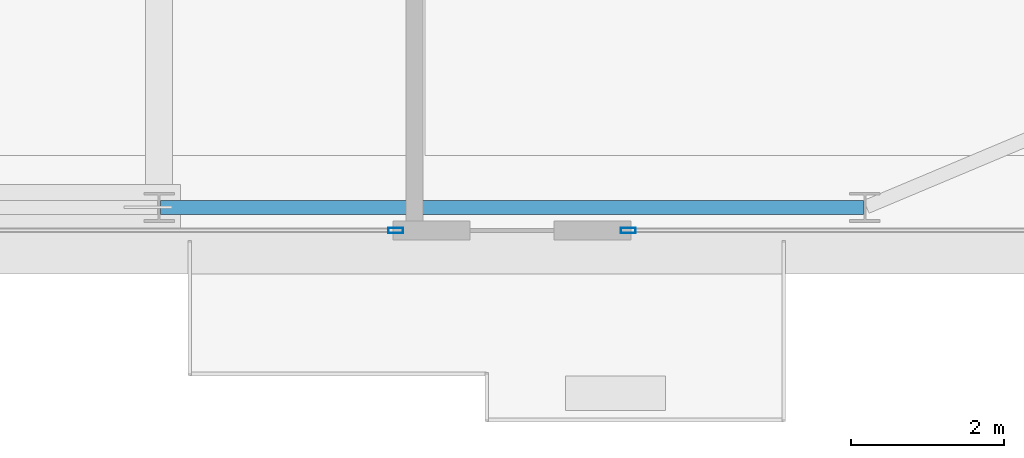
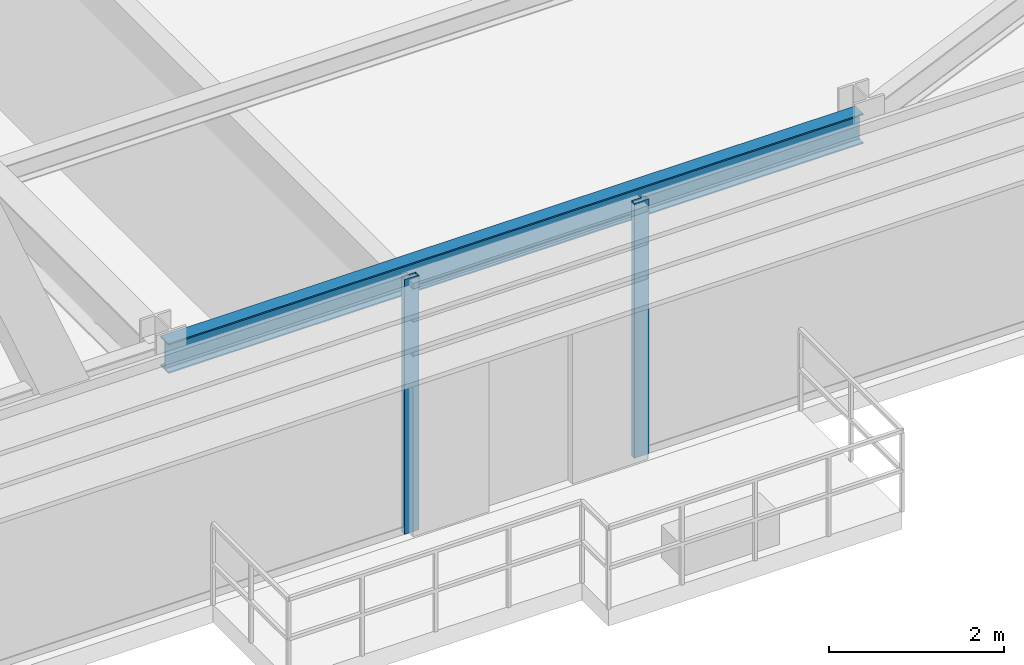
# One storey, part 14 of 38: 2 members, 1 beam, 2 elements without a shape of their own.
"""IFC4 building model written with IfcOpenShell, lengths in metres."""

from ifc_helpers import new_model, si_unit, direction, frame, origin, origin_2d, place, context, subcontext, project, spatial, hollow_rectangle, i_section, extrude, source, transform, mapped, material, layer, layer_set, material_profile, profile_set, type_object, type_shapes, element, aggregate, save


model = new_model("IFC4")

# Units and contexts
model_context = context("Model", 3, precision=1e-05, world=origin(), true_north=direction((0.0, 1.0)))
body_context = subcontext(model_context, "Body", "Model", "MODEL_VIEW")
ifc_project = project(units=[si_unit("LENGTHUNIT", "METRE"), si_unit("AREAUNIT", "SQUARE_METRE"), si_unit("VOLUMEUNIT", "CUBIC_METRE"), si_unit("PLANEANGLEUNIT", "RADIAN"), si_unit("MASSUNIT", "GRAM", prefix="KILO")], contexts=[model_context])

# Site, building, storey
site_placement = place(None, origin())
site = spatial("IfcSite", under=ifc_project, at=site_placement, CompositionType="ELEMENT")
building_placement = place(site_placement, origin())
building = spatial("IfcBuilding", under=site, at=building_placement, Name="Varnel Quay Broadcast Tower", CompositionType="ELEMENT")
storey_placement = place(building_placement, frame((0.0, 0.0, 118.199951171875)))
storey = spatial("IfcBuildingStorey", under=building, at=storey_placement, Name="L28", CompositionType="ELEMENT", Elevation=118.199951171875)

# Beam
ifc_material_1 = material(Name="Structural Steel CSA G40.21 350W", Category="steel")
ifc_material_profile_1 = material_profile(ifc_material_1, i_section(OverallWidth=0.180908203125, OverallDepth=0.4169921875, WebThickness=0.010986328125, FlangeThickness=0.018310546875, FilletRadius=0.011962890625, at=origin_2d()), Name="W410X85")
ifc_profile_set_1 = profile_set([ifc_material_profile_1], Name="Structural Steel CSA G40.21 350W")
beam_type = type_object("IfcBeamType", Name="Beam_W410X85", PredefinedType="SPANDREL", material=ifc_profile_set_1)
shared_shape_1 = source(origin(), body_context, "Body", "SweptSolid", [
    extrude(i_section(OverallWidth=0.180908203125, OverallDepth=0.4169921875, WebThickness=0.010986328125, FlangeThickness=0.018310546875, FilletRadius=0.011962890625, at=origin_2d()), origin(), (0.0, 0.0, 1.0), 9.159912109375),
])
type_shapes(beam_type, [shared_shape_1])
beam_placement = place(storey_placement, frame((43.219970703125, 4.64990234375, 3.341552734375), z_axis=(1.0, 0.0, 0.0), x_axis=(0.0, 1.0, 0.0)))
element("IfcBeam", 1, at=beam_placement, inside=storey, type_object=beam_type, Name="L28 South Spandrel TC-S4-TC-S5", PredefinedType="SPANDREL", context=body_context, shape_type="MappedRepresentation", body=[
    mapped(shared_shape_1, transform((0.0, 0.0, 0.0), x_axis=(1.0, 0.0, 0.0), y_axis=(0.0, 1.0, 0.0), z_axis=(0.0, 0.0, 1.0), scale=1.0)),
])

# Curtain wall, member
ifc_material_2 = material(Name="Anodised Bronze Aluminium 6063-T6", Category="aluminium")
ifc_layer = layer(ifc_material_2, 0.18994140625, Name="Anodised Bronze Aluminium 6063-T6")
ifc_layer_set = layer_set([ifc_layer], Name="Anodised Bronze Aluminium 6063-T6")
curtain_wall_type = type_object("IfcCurtainWallType", Name="CW_LowerTower", PredefinedType="NOTDEFINED", material=ifc_layer_set)
curtain_wall_1_placement = place(storey_placement, origin())
curtain_wall_1 = element("IfcCurtainWall", 2, at=curtain_wall_1_placement, inside=storey, type_object=curtain_wall_type, Name="L28 South Unitised Curtain Wall 2", PredefinedType="NOTDEFINED")
ifc_material_profile_2 = material_profile(ifc_material_2, hollow_rectangle(XDim=0.070068359375, YDim=0.18994140625, WallThickness=0.00390625, at=origin_2d()), Name="ALU70X190X4")
ifc_profile_set_2 = profile_set([ifc_material_profile_2], Name="Anodised Bronze Aluminium 6063-T6")
member_type = type_object("IfcMemberType", Name="Mull_CWS-02", PredefinedType="MULLION", material=ifc_profile_set_2)
shared_shape_2 = source(origin(), body_context, "Body", "SweptSolid", [
    extrude(hollow_rectangle(XDim=0.070068359375, YDim=0.18994140625, WallThickness=0.00390625, at=origin_2d()), origin(), (0.0, 0.0, 1.0), 3.550048828125),
])
type_shapes(member_type, [shared_shape_2])
member_1_placement = place(storey_placement, frame((46.284912109375, 4.35009765625, 0.0), z_axis=(0.0, 0.0, 1.0), x_axis=(0.0, 1.0, 0.0)))
member_1 = element("IfcMember", 3, at=member_1_placement, type_object=member_type, Name="CWS-02 mullion 3", PredefinedType="MULLION", context=body_context, shape_type="MappedRepresentation", body=[
    mapped(shared_shape_2, transform((0.0, 0.0, 0.0), x_axis=(1.0, 0.0, 0.0), y_axis=(0.0, 1.0, 0.0), z_axis=(0.0, 0.0, 1.0), scale=1.0)),
])
aggregate(curtain_wall_1, [member_1])

curtain_wall_2_placement = place(storey_placement, origin())
curtain_wall_2 = element("IfcCurtainWall", 4, at=curtain_wall_2_placement, inside=storey, type_object=curtain_wall_type, Name="L28 South Unitised Curtain Wall 3", PredefinedType="NOTDEFINED")
member_2_placement = place(storey_placement, frame((49.31494140625, 4.35009765625, 0.0), z_axis=(0.0, 0.0, 1.0), x_axis=(0.0, 1.0, 0.0)))
member_2 = element("IfcMember", 5, at=member_2_placement, type_object=member_type, Name="CWS-02 mullion 1", PredefinedType="MULLION", context=body_context, shape_type="MappedRepresentation", body=[
    mapped(shared_shape_2, transform((0.0, 0.0, 0.0), x_axis=(1.0, 0.0, 0.0), y_axis=(0.0, 1.0, 0.0), z_axis=(0.0, 0.0, 1.0), scale=1.0)),
])
aggregate(curtain_wall_2, [member_2])

save(model, "model.ifc")
